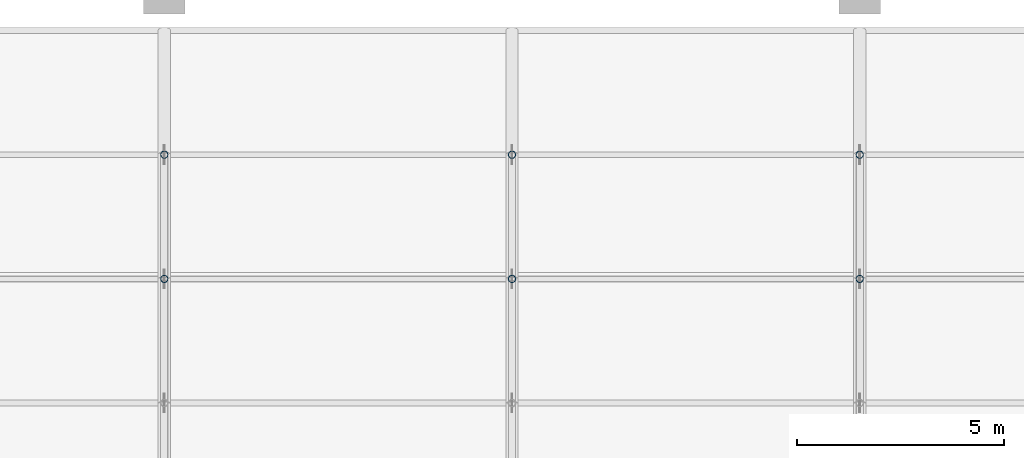
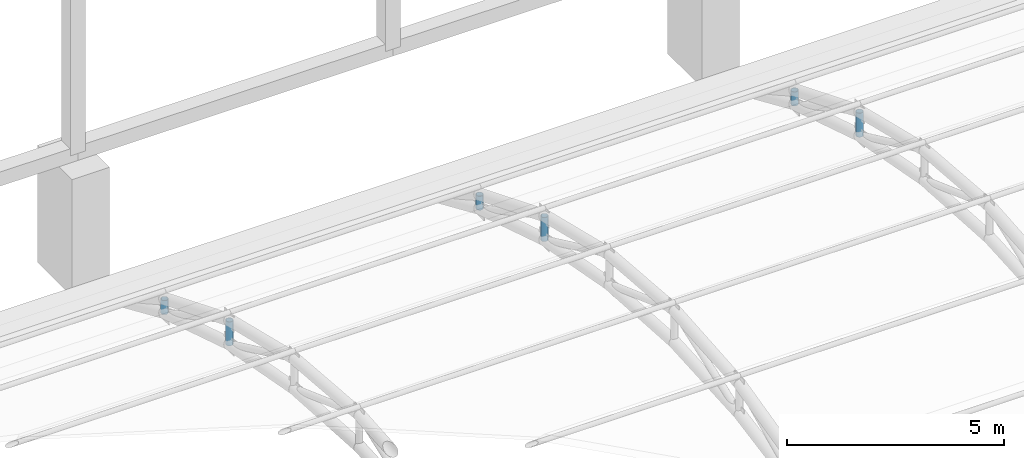
# One storey, part 92 of 163: 6 members.
"""IFC4 building model written with IfcOpenShell, lengths in metres."""

from ifc_helpers import new_model, si_unit, direction, frame, origin, origin_2d, place, context, subcontext, project, spatial, hollow_circle, extrude, material, material_profile, profile_set, type_object, element, save


model = new_model("IFC4")

# Units and contexts
model_context = context("Model", 3, precision=1e-05, world=origin(), true_north=direction((0.0, 1.0)))
body_context = subcontext(model_context, "Body", "Model", "MODEL_VIEW")
ifc_project = project(units=[si_unit("LENGTHUNIT", "METRE"), si_unit("AREAUNIT", "SQUARE_METRE"), si_unit("VOLUMEUNIT", "CUBIC_METRE"), si_unit("PLANEANGLEUNIT", "RADIAN"), si_unit("MASSUNIT", "GRAM", prefix="KILO")], contexts=[model_context])

# Site, building, storey
site_placement = place(None, origin())
site = spatial("IfcSite", under=ifc_project, at=site_placement, CompositionType="ELEMENT")
building_placement = place(site_placement, origin())
building = spatial("IfcBuilding", under=site, at=building_placement, Name="Rain Tree Exposition and Congress Centre", CompositionType="ELEMENT")
storey_placement = place(building_placement, frame((0.0, 0.0, 10.5)))
storey = spatial("IfcBuildingStorey", under=building, at=storey_placement, Name="L02", CompositionType="ELEMENT", Elevation=10.5)

# Members
ifc_material = material(Name="Steel S355J2H", Category="steel")
ifc_material_profile = material_profile(ifc_material, hollow_circle(Radius=0.090087890625, WallThickness=0.008056640625, at=origin_2d()), Name="CHS 180x8")
ifc_profile_set = profile_set([ifc_material_profile], Name="Steel S355J2H")
member_type = type_object("IfcMemberType", Name="Steel post member CHS 180x8", PredefinedType="POST", material=ifc_profile_set)
member_1_placement = place(storey_placement, frame((193.199951171875, 93.60009765625, 2.3798828125), z_axis=(0.0, 0.0, 1.0), x_axis=(1.0, 0.0, 0.0)))
element("IfcMember", 1, at=member_1_placement, inside=storey, type_object=member_type, Name="Roof truss 24 post 6", PredefinedType="POST", context=body_context, shape_type="SweptSolid", body=[
    extrude(hollow_circle(Radius=0.090087890625, WallThickness=0.008056640625, at=origin_2d()), origin(), (0.0, 0.0, 1.0), 0.675048828125),
])
member_2_placement = place(storey_placement, frame((193.199951171875, 96.60009765625, 1.4423828125), z_axis=(0.0, 0.0, 1.0), x_axis=(1.0, 0.0, 0.0)))
element("IfcMember", 2, at=member_2_placement, inside=storey, type_object=member_type, Name="Roof truss 24 post 7", PredefinedType="POST", context=body_context, shape_type="SweptSolid", body=[
    extrude(hollow_circle(Radius=0.090087890625, WallThickness=0.008056640625, at=origin_2d()), origin(), (0.0, 0.0, 1.0), 0.393798828125),
])
member_3_placement = place(storey_placement, frame((201.60009765625, 93.60009765625, 2.3798828125), z_axis=(0.0, 0.0, 1.0), x_axis=(1.0, 0.0, 0.0)))
element("IfcMember", 3, at=member_3_placement, inside=storey, type_object=member_type, Name="Roof truss 25 post 6", PredefinedType="POST", context=body_context, shape_type="SweptSolid", body=[
    extrude(hollow_circle(Radius=0.090087890625, WallThickness=0.008056640625, at=origin_2d()), origin(), (0.0, 0.0, 1.0), 0.675048828125),
])
member_4_placement = place(storey_placement, frame((201.60009765625, 96.60009765625, 1.4423828125), z_axis=(0.0, 0.0, 1.0), x_axis=(1.0, 0.0, 0.0)))
element("IfcMember", 4, at=member_4_placement, inside=storey, type_object=member_type, Name="Roof truss 25 post 7", PredefinedType="POST", context=body_context, shape_type="SweptSolid", body=[
    extrude(hollow_circle(Radius=0.090087890625, WallThickness=0.008056640625, at=origin_2d()), origin(), (0.0, 0.0, 1.0), 0.393798828125),
])
member_5_placement = place(storey_placement, frame((210.0, 93.60009765625, 2.3798828125), z_axis=(0.0, 0.0, 1.0), x_axis=(1.0, 0.0, 0.0)))
element("IfcMember", 5, at=member_5_placement, inside=storey, type_object=member_type, Name="Roof truss 26 post 6", PredefinedType="POST", context=body_context, shape_type="SweptSolid", body=[
    extrude(hollow_circle(Radius=0.090087890625, WallThickness=0.008056640625, at=origin_2d()), origin(), (0.0, 0.0, 1.0), 0.675048828125),
])
member_6_placement = place(storey_placement, frame((210.0, 96.60009765625, 1.4423828125), z_axis=(0.0, 0.0, 1.0), x_axis=(1.0, 0.0, 0.0)))
element("IfcMember", 6, at=member_6_placement, inside=storey, type_object=member_type, Name="Roof truss 26 post 7", PredefinedType="POST", context=body_context, shape_type="SweptSolid", body=[
    extrude(hollow_circle(Radius=0.090087890625, WallThickness=0.008056640625, at=origin_2d()), origin(), (0.0, 0.0, 1.0), 0.393798828125),
])

save(model, "model.ifc")
